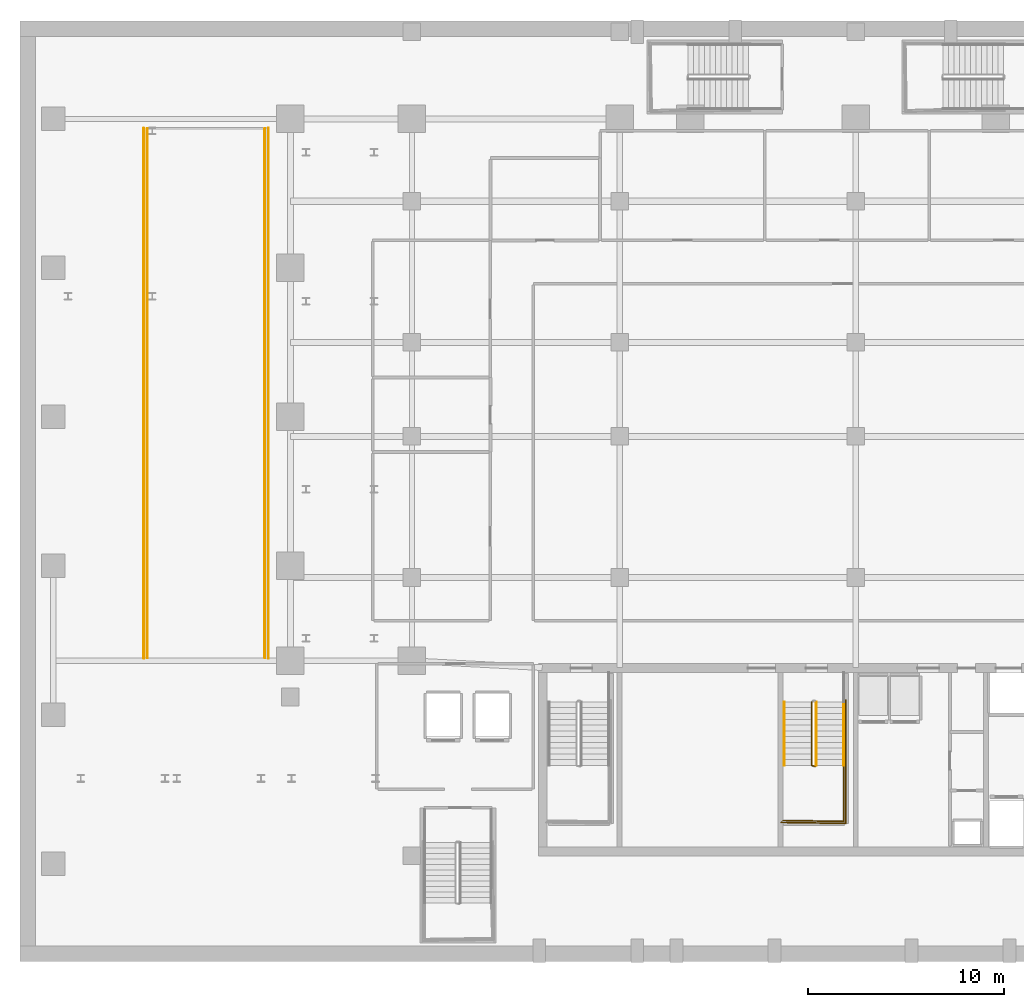
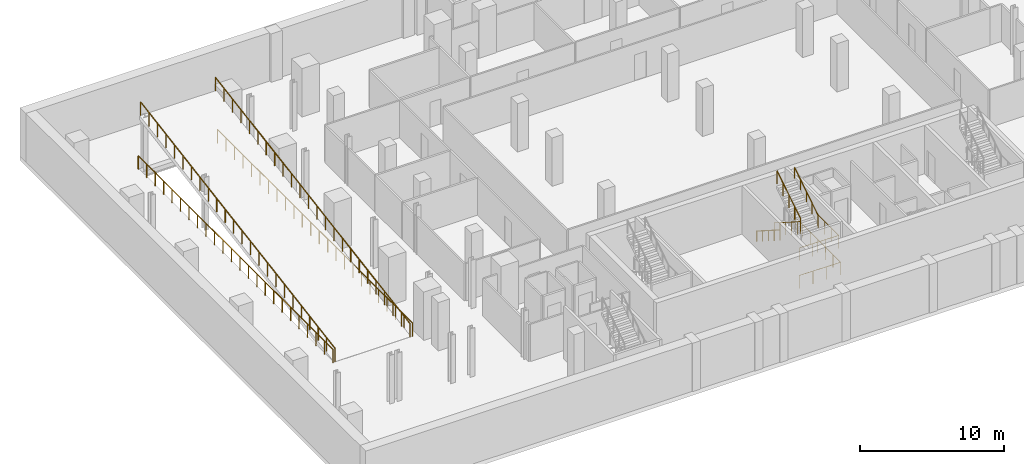
# One storey, part 14 of 18: 10 railings.
"""IFC4 building model written with IfcOpenShell, lengths in metres."""

from ifc_helpers import new_model, si_unit, direction, frame, origin, origin_2d, place, context, subcontext, project, spatial, circle, extrude, material, layer, layer_set, type_object, element, save


model = new_model("IFC4")

# Units and contexts
model_context = context("Model", 3, precision=1e-05, world=origin(), true_north=direction((0.0, 1.0)))
body_context = subcontext(model_context, "Body", "Model", "MODEL_VIEW")
ifc_project = project(units=[si_unit("LENGTHUNIT", "METRE"), si_unit("AREAUNIT", "SQUARE_METRE"), si_unit("VOLUMEUNIT", "CUBIC_METRE"), si_unit("PLANEANGLEUNIT", "RADIAN"), si_unit("MASSUNIT", "GRAM", prefix="KILO")], contexts=[model_context])

# Site, building, storey
site_placement = place(None, origin())
site = spatial("IfcSite", under=ifc_project, at=site_placement, CompositionType="ELEMENT")
building_placement = place(site_placement, origin())
building = spatial("IfcBuilding", under=site, at=building_placement, Name="Ndaravel Arena Tower", CompositionType="ELEMENT")
storey_placement = place(building_placement, frame((0.0, 0.0, -4.5)))
storey = spatial("IfcBuildingStorey", under=building, at=storey_placement, Name="B01", CompositionType="ELEMENT", Elevation=-4.5)

# Railings
ifc_material_1 = material(Name="Steel S355", Category="steel")
ifc_layer_1 = layer(ifc_material_1, 0.06005859375)
ifc_layer_set_1 = layer_set([ifc_layer_1], Name="Steel S355")
railing_type_1 = type_object("IfcRailingType", Name="RAIL-STAIR-GD1100", PredefinedType="GUARDRAIL", material=ifc_layer_set_1)
railing_1_placement = place(storey_placement, frame((40.39990234375, 13.25, 0.1875)))
element("IfcRailing", 1, at=railing_1_placement, inside=storey, type_object=railing_type_1, Name="B01 ST-2 stair guard 1", PredefinedType="GUARDRAIL", context=body_context, shape_type="SweptSolid", body=[
    extrude(circle(Radius=0.02392578125, at=origin_2d()), frame((0.0, 0.0, 1.076171875), z_axis=(0.0, -0.843964631203, 0.536398826693), x_axis=(1.0, 0.0, 0.0)), (0.0, 0.0, 1.0), 3.844970703125),
    extrude(circle(Radius=0.02392578125, at=origin_2d()), frame((0.0, -3.2451171875, 3.138671875), z_axis=(0.967379469692, -0.253331722487, 0.0), x_axis=(0.253331722487, 0.967379469692, 0.0)), (0.0, 0.0, 1.0), 0.196533203125),
    extrude(circle(Radius=0.02099609375, at=origin_2d()), origin(), (0.0, 0.0, 1.0), 1.052001953125),
    extrude(circle(Radius=0.02099609375, at=origin_2d()), frame((0.0, -0.811279296875, 0.515625)), (0.0, 0.0, 1.0), 1.052001953125),
    extrude(circle(Radius=0.02099609375, at=origin_2d()), frame((0.0, -1.62255859375, 1.03125)), (0.0, 0.0, 1.0), 1.052001953125),
    extrude(circle(Radius=0.02099609375, at=origin_2d()), frame((0.0, -2.433837890625, 1.546875)), (0.0, 0.0, 1.0), 1.052001953125),
    extrude(circle(Radius=0.02099609375, at=origin_2d()), frame((0.0, -3.2451171875, 2.0625)), (0.0, 0.0, 1.0), 1.052001953125),
    extrude(circle(Radius=0.02099609375, at=origin_2d()), frame((0.190185546875, -3.294921875, 2.0625)), (0.0, 0.0, 1.0), 1.052001953125),
])
railing_2_placement = place(storey_placement, frame((42.0400390625, 10.0048828125, 2.25)))
element("IfcRailing", 2, at=railing_2_placement, inside=storey, type_object=railing_type_1, Name="B01 ST-2 stair guard 2", PredefinedType="GUARDRAIL", context=body_context, shape_type="SweptSolid", body=[
    extrude(circle(Radius=0.02392578125, at=origin_2d()), frame((0.0, 0.0, 1.076171875), z_axis=(0.0, -1.0, 0.0), x_axis=(1.0, 0.0, 0.0)), (0.0, 0.0, 1.0), 2.85498046875),
    extrude(circle(Radius=0.02392578125, at=origin_2d()), frame((0.0, -2.85498046875, 1.076171875), z_axis=(-0.999868861343, 0.016194447071, 0.0), x_axis=(-0.016194447071, -0.999868861343, 0.0)), (0.0, 0.0, 1.0), 3.090576171875),
    extrude(circle(Radius=0.02099609375, at=origin_2d()), origin(), (0.0, 0.0, 1.0), 1.052001953125),
    extrude(circle(Radius=0.02099609375, at=origin_2d()), frame((0.0, -0.95166015625, 0.0)), (0.0, 0.0, 1.0), 1.052001953125),
    extrude(circle(Radius=0.02099609375, at=origin_2d()), frame((0.0, -1.9033203125, 0.0)), (0.0, 0.0, 1.0), 1.052001953125),
    extrude(circle(Radius=0.02099609375, at=origin_2d()), frame((0.0, -2.85498046875, 0.0)), (0.0, 0.0, 1.0), 1.052001953125),
    extrude(circle(Radius=0.02099609375, at=origin_2d()), frame((-1.030029296875, -2.83837890625, 0.0)), (0.0, 0.0, 1.0), 1.052001953125),
    extrude(circle(Radius=0.02099609375, at=origin_2d()), frame((-2.06005859375, -2.821533203125, 0.0)), (0.0, 0.0, 1.0), 1.052001953125),
    extrude(circle(Radius=0.02099609375, at=origin_2d()), frame((-3.090087890625, -2.804931640625, 0.0)), (0.0, 0.0, 1.0), 1.052001953125),
])
railing_3_placement = place(storey_placement, frame((40.639892578125, 10.0048828125, 2.4375)))
element("IfcRailing", 3, at=railing_3_placement, inside=storey, type_object=railing_type_1, Name="B01 ST-2 stair guard 3", PredefinedType="GUARDRAIL", context=body_context, shape_type="SweptSolid", body=[
    extrude(circle(Radius=0.02392578125, at=origin_2d()), frame((0.0, 0.0, 1.076171875), z_axis=(0.0, 0.843964631203, 0.536398826693), x_axis=(-1.0, 0.0, 0.0)), (0.0, 0.0, 1.0), 3.844970703125),
    extrude(circle(Radius=0.02099609375, at=origin_2d()), origin(), (0.0, 0.0, 1.0), 1.052001953125),
    extrude(circle(Radius=0.02099609375, at=origin_2d()), frame((0.0, 0.811279296875, 0.515625)), (0.0, 0.0, 1.0), 1.052001953125),
    extrude(circle(Radius=0.02099609375, at=origin_2d()), frame((0.0, 1.62255859375, 1.03125)), (0.0, 0.0, 1.0), 1.052001953125),
    extrude(circle(Radius=0.02099609375, at=origin_2d()), frame((0.0, 2.433837890625, 1.546875)), (0.0, 0.0, 1.0), 1.052001953125),
    extrude(circle(Radius=0.02099609375, at=origin_2d()), frame((0.0, 3.2451171875, 2.0625)), (0.0, 0.0, 1.0), 1.052001953125),
])
railing_4_placement = place(storey_placement, frame((42.139892578125, 13.35009765625, 0.0)))
element("IfcRailing", 4, at=railing_4_placement, inside=storey, type_object=railing_type_1, Name="B01 ST-2 stair guard 6", PredefinedType="GUARDRAIL", context=body_context, shape_type="SweptSolid", body=[
    extrude(circle(Radius=0.02392578125, at=origin_2d()), frame((0.0, 0.0, 1.076171875), z_axis=(0.0, -1.0, 0.0), x_axis=(1.0, 0.0, 0.0)), (0.0, 0.0, 1.0), 6.300048828125),
    extrude(circle(Radius=0.02392578125, at=origin_2d()), frame((0.0, -6.300048828125, 1.076171875), z_axis=(-0.999884296952, 0.015211597839, 0.0), x_axis=(-0.015211597839, -0.999884296952, 0.0)), (0.0, 0.0, 1.0), 3.290283203125),
    extrude(circle(Radius=0.02099609375, at=origin_2d()), origin(), (0.0, 0.0, 1.0), 1.052001953125),
    extrude(circle(Radius=0.02099609375, at=origin_2d()), frame((0.0, -1.050048828125, 0.0)), (0.0, 0.0, 1.0), 1.052001953125),
    extrude(circle(Radius=0.02099609375, at=origin_2d()), frame((0.0, -2.10009765625, 0.0)), (0.0, 0.0, 1.0), 1.052001953125),
    extrude(circle(Radius=0.02099609375, at=origin_2d()), frame((0.0, -3.14990234375, 0.0)), (0.0, 0.0, 1.0), 1.052001953125),
    extrude(circle(Radius=0.02099609375, at=origin_2d()), frame((0.0, -4.199951171875, 0.0)), (0.0, 0.0, 1.0), 1.052001953125),
    extrude(circle(Radius=0.02099609375, at=origin_2d()), frame((0.0, -5.25, 0.0)), (0.0, 0.0, 1.0), 1.052001953125),
    extrude(circle(Radius=0.02099609375, at=origin_2d()), frame((0.0, -6.300048828125, 0.0)), (0.0, 0.0, 1.0), 1.052001953125),
    extrude(circle(Radius=0.02099609375, at=origin_2d()), frame((-1.0966796875, -6.283447265625, 0.0)), (0.0, 0.0, 1.0), 1.052001953125),
    extrude(circle(Radius=0.02099609375, at=origin_2d()), frame((-2.193115234375, -6.2666015625, 0.0)), (0.0, 0.0, 1.0), 1.052001953125),
    extrude(circle(Radius=0.02099609375, at=origin_2d()), frame((-3.289794921875, -6.25, 0.0)), (0.0, 0.0, 1.0), 1.052001953125),
])
ifc_material_2 = material(Name="Steel S355", Category="steel")
ifc_layer_2 = layer(ifc_material_2, 0.050048828125)
ifc_layer_set_2 = layer_set([ifc_layer_2], Name="Steel S355")
railing_type_2 = type_object("IfcRailingType", Name="RAIL-STAIR-HR920", PredefinedType="HANDRAIL", material=ifc_layer_set_2)
railing_5_placement = place(storey_placement, frame((39.0, 13.25, 0.1875)))
element("IfcRailing", 5, at=railing_5_placement, inside=storey, type_object=railing_type_2, Name="B01 ST-2 stair handrail 1", PredefinedType="HANDRAIL", context=body_context, shape_type="SweptSolid", body=[
    extrude(circle(Radius=0.02392578125, at=origin_2d()), frame((0.0, 0.0, 0.8759765625), z_axis=(0.0, -0.843964631203, 0.536398826693), x_axis=(1.0, 0.0, 0.0)), (0.0, 0.0, 1.0), 3.844970703125),
    extrude(circle(Radius=0.02099609375, at=origin_2d()), origin(), (0.0, 0.0, 1.0), 0.851806640625),
    extrude(circle(Radius=0.02099609375, at=origin_2d()), frame((0.0, -0.811279296875, 0.515625)), (0.0, 0.0, 1.0), 0.851806640625),
    extrude(circle(Radius=0.02099609375, at=origin_2d()), frame((0.0, -1.62255859375, 1.03125)), (0.0, 0.0, 1.0), 0.851806640625),
    extrude(circle(Radius=0.02099609375, at=origin_2d()), frame((0.0, -2.433837890625, 1.546875)), (0.0, 0.0, 1.0), 0.851806640625),
    extrude(circle(Radius=0.02099609375, at=origin_2d()), frame((0.0, -3.2451171875, 2.0625)), (0.0, 0.0, 1.0), 0.851806640625),
])
railing_6_placement = place(storey_placement, frame((42.0400390625, 10.0048828125, 2.4375)))
element("IfcRailing", 6, at=railing_6_placement, inside=storey, type_object=railing_type_2, Name="B01 ST-2 stair handrail 2", PredefinedType="HANDRAIL", context=body_context, shape_type="SweptSolid", body=[
    extrude(circle(Radius=0.02392578125, at=origin_2d()), frame((0.0, 0.0, 0.8759765625), z_axis=(0.0, 0.843964631203, 0.536398826693), x_axis=(-1.0, 0.0, 0.0)), (0.0, 0.0, 1.0), 3.844970703125),
    extrude(circle(Radius=0.02099609375, at=origin_2d()), origin(), (0.0, 0.0, 1.0), 0.851806640625),
    extrude(circle(Radius=0.02099609375, at=origin_2d()), frame((0.0, 0.811279296875, 0.515625)), (0.0, 0.0, 1.0), 0.851806640625),
    extrude(circle(Radius=0.02099609375, at=origin_2d()), frame((0.0, 1.62255859375, 1.03125)), (0.0, 0.0, 1.0), 0.851806640625),
    extrude(circle(Radius=0.02099609375, at=origin_2d()), frame((0.0, 2.433837890625, 1.546875)), (0.0, 0.0, 1.0), 0.851806640625),
    extrude(circle(Radius=0.02099609375, at=origin_2d()), frame((0.0, 3.2451171875, 2.0625)), (0.0, 0.0, 1.0), 0.851806640625),
])
ifc_material_3 = material(Name="Glazing", Category="glass")
ifc_layer_3 = layer(ifc_material_3, 0.070068359375)
ifc_layer_set_3 = layer_set([ifc_layer_3], Name="Glazing")
railing_type_3 = type_object("IfcRailingType", Name="RAIL-TERRACE-1150", PredefinedType="BALUSTRADE", material=ifc_layer_set_3)
railing_7_placement = place(storey_placement, frame((6.320068359375, 15.47998046875, 0.0)))
element("IfcRailing", 7, at=railing_7_placement, inside=storey, type_object=railing_type_3, Name="B01 Vehicle Ramp Well West Side Guard", PredefinedType="BALUSTRADE", context=body_context, shape_type="SweptSolid", body=[
    extrude(circle(Radius=0.02392578125, at=origin_2d()), frame((0.0, 0.0, 1.1259765625), z_axis=(0.0, 1.0, 0.0), x_axis=(-1.0, 0.0, 0.0)), (0.0, 0.0, 1.0), 27.0400390625),
    extrude(circle(Radius=0.02099609375, at=origin_2d()), origin(), (0.0, 0.0, 1.0), 1.101806640625),
    extrude(circle(Radius=0.02099609375, at=origin_2d()), frame((0.0, 1.175537109375, 0.0)), (0.0, 0.0, 1.0), 1.101806640625),
    extrude(circle(Radius=0.02099609375, at=origin_2d()), frame((0.0, 2.351318359375, 0.0)), (0.0, 0.0, 1.0), 1.101806640625),
    extrude(circle(Radius=0.02099609375, at=origin_2d()), frame((0.0, 3.52685546875, 0.0)), (0.0, 0.0, 1.0), 1.101806640625),
    extrude(circle(Radius=0.02099609375, at=origin_2d()), frame((0.0, 4.70263671875, 0.0)), (0.0, 0.0, 1.0), 1.101806640625),
    extrude(circle(Radius=0.02099609375, at=origin_2d()), frame((0.0, 5.878173828125, 0.0)), (0.0, 0.0, 1.0), 1.101806640625),
    extrude(circle(Radius=0.02099609375, at=origin_2d()), frame((0.0, 7.053955078125, 0.0)), (0.0, 0.0, 1.0), 1.101806640625),
    extrude(circle(Radius=0.02099609375, at=origin_2d()), frame((0.0, 8.2294921875, 0.0)), (0.0, 0.0, 1.0), 1.101806640625),
    extrude(circle(Radius=0.02099609375, at=origin_2d()), frame((0.0, 9.4052734375, 0.0)), (0.0, 0.0, 1.0), 1.101806640625),
    extrude(circle(Radius=0.02099609375, at=origin_2d()), frame((0.0, 10.580810546875, 0.0)), (0.0, 0.0, 1.0), 1.101806640625),
    extrude(circle(Radius=0.02099609375, at=origin_2d()), frame((0.0, 11.756591796875, 0.0)), (0.0, 0.0, 1.0), 1.101806640625),
    extrude(circle(Radius=0.02099609375, at=origin_2d()), frame((0.0, 12.93212890625, 0.0)), (0.0, 0.0, 1.0), 1.101806640625),
    extrude(circle(Radius=0.02099609375, at=origin_2d()), frame((0.0, 14.10791015625, 0.0)), (0.0, 0.0, 1.0), 1.101806640625),
    extrude(circle(Radius=0.02099609375, at=origin_2d()), frame((0.0, 15.283447265625, 0.0)), (0.0, 0.0, 1.0), 1.101806640625),
    extrude(circle(Radius=0.02099609375, at=origin_2d()), frame((0.0, 16.459228515625, 0.0)), (0.0, 0.0, 1.0), 1.101806640625),
    extrude(circle(Radius=0.02099609375, at=origin_2d()), frame((0.0, 17.634765625, 0.0)), (0.0, 0.0, 1.0), 1.101806640625),
    extrude(circle(Radius=0.02099609375, at=origin_2d()), frame((0.0, 18.810546875, 0.0)), (0.0, 0.0, 1.0), 1.101806640625),
    extrude(circle(Radius=0.02099609375, at=origin_2d()), frame((0.0, 19.986083984375, 0.0)), (0.0, 0.0, 1.0), 1.101806640625),
    extrude(circle(Radius=0.02099609375, at=origin_2d()), frame((0.0, 21.161865234375, 0.0)), (0.0, 0.0, 1.0), 1.101806640625),
    extrude(circle(Radius=0.02099609375, at=origin_2d()), frame((0.0, 22.33740234375, 0.0)), (0.0, 0.0, 1.0), 1.101806640625),
    extrude(circle(Radius=0.02099609375, at=origin_2d()), frame((0.0, 23.51318359375, 0.0)), (0.0, 0.0, 1.0), 1.101806640625),
    extrude(circle(Radius=0.02099609375, at=origin_2d()), frame((0.0, 24.688720703125, 0.0)), (0.0, 0.0, 1.0), 1.101806640625),
    extrude(circle(Radius=0.02099609375, at=origin_2d()), frame((0.0, 25.864501953125, 0.0)), (0.0, 0.0, 1.0), 1.101806640625),
    extrude(circle(Radius=0.02099609375, at=origin_2d()), frame((0.0, 27.0400390625, 0.0)), (0.0, 0.0, 1.0), 1.101806640625),
])
railing_8_placement = place(storey_placement, frame((12.679931640625, 15.47998046875, 0.0)))
element("IfcRailing", 8, at=railing_8_placement, inside=storey, type_object=railing_type_3, Name="B01 Vehicle Ramp Well East Side Guard", PredefinedType="BALUSTRADE", context=body_context, shape_type="SweptSolid", body=[
    extrude(circle(Radius=0.02392578125, at=origin_2d()), frame((0.0, 0.0, 1.1259765625), z_axis=(0.0, 1.0, 0.0), x_axis=(-1.0, 0.0, 0.0)), (0.0, 0.0, 1.0), 27.0400390625),
    extrude(circle(Radius=0.02099609375, at=origin_2d()), origin(), (0.0, 0.0, 1.0), 1.101806640625),
    extrude(circle(Radius=0.02099609375, at=origin_2d()), frame((0.0, 1.175537109375, 0.0)), (0.0, 0.0, 1.0), 1.101806640625),
    extrude(circle(Radius=0.02099609375, at=origin_2d()), frame((0.0, 2.351318359375, 0.0)), (0.0, 0.0, 1.0), 1.101806640625),
    extrude(circle(Radius=0.02099609375, at=origin_2d()), frame((0.0, 3.52685546875, 0.0)), (0.0, 0.0, 1.0), 1.101806640625),
    extrude(circle(Radius=0.02099609375, at=origin_2d()), frame((0.0, 4.70263671875, 0.0)), (0.0, 0.0, 1.0), 1.101806640625),
    extrude(circle(Radius=0.02099609375, at=origin_2d()), frame((0.0, 5.878173828125, 0.0)), (0.0, 0.0, 1.0), 1.101806640625),
    extrude(circle(Radius=0.02099609375, at=origin_2d()), frame((0.0, 7.053955078125, 0.0)), (0.0, 0.0, 1.0), 1.101806640625),
    extrude(circle(Radius=0.02099609375, at=origin_2d()), frame((0.0, 8.2294921875, 0.0)), (0.0, 0.0, 1.0), 1.101806640625),
    extrude(circle(Radius=0.02099609375, at=origin_2d()), frame((0.0, 9.4052734375, 0.0)), (0.0, 0.0, 1.0), 1.101806640625),
    extrude(circle(Radius=0.02099609375, at=origin_2d()), frame((0.0, 10.580810546875, 0.0)), (0.0, 0.0, 1.0), 1.101806640625),
    extrude(circle(Radius=0.02099609375, at=origin_2d()), frame((0.0, 11.756591796875, 0.0)), (0.0, 0.0, 1.0), 1.101806640625),
    extrude(circle(Radius=0.02099609375, at=origin_2d()), frame((0.0, 12.93212890625, 0.0)), (0.0, 0.0, 1.0), 1.101806640625),
    extrude(circle(Radius=0.02099609375, at=origin_2d()), frame((0.0, 14.10791015625, 0.0)), (0.0, 0.0, 1.0), 1.101806640625),
    extrude(circle(Radius=0.02099609375, at=origin_2d()), frame((0.0, 15.283447265625, 0.0)), (0.0, 0.0, 1.0), 1.101806640625),
    extrude(circle(Radius=0.02099609375, at=origin_2d()), frame((0.0, 16.459228515625, 0.0)), (0.0, 0.0, 1.0), 1.101806640625),
    extrude(circle(Radius=0.02099609375, at=origin_2d()), frame((0.0, 17.634765625, 0.0)), (0.0, 0.0, 1.0), 1.101806640625),
    extrude(circle(Radius=0.02099609375, at=origin_2d()), frame((0.0, 18.810546875, 0.0)), (0.0, 0.0, 1.0), 1.101806640625),
    extrude(circle(Radius=0.02099609375, at=origin_2d()), frame((0.0, 19.986083984375, 0.0)), (0.0, 0.0, 1.0), 1.101806640625),
    extrude(circle(Radius=0.02099609375, at=origin_2d()), frame((0.0, 21.161865234375, 0.0)), (0.0, 0.0, 1.0), 1.101806640625),
    extrude(circle(Radius=0.02099609375, at=origin_2d()), frame((0.0, 22.33740234375, 0.0)), (0.0, 0.0, 1.0), 1.101806640625),
    extrude(circle(Radius=0.02099609375, at=origin_2d()), frame((0.0, 23.51318359375, 0.0)), (0.0, 0.0, 1.0), 1.101806640625),
    extrude(circle(Radius=0.02099609375, at=origin_2d()), frame((0.0, 24.688720703125, 0.0)), (0.0, 0.0, 1.0), 1.101806640625),
    extrude(circle(Radius=0.02099609375, at=origin_2d()), frame((0.0, 25.864501953125, 0.0)), (0.0, 0.0, 1.0), 1.101806640625),
    extrude(circle(Radius=0.02099609375, at=origin_2d()), frame((0.0, 27.0400390625, 0.0)), (0.0, 0.0, 1.0), 1.101806640625),
])
railing_9_placement = place(storey_placement, frame((6.5, 15.5, 0.0)))
element("IfcRailing", 9, at=railing_9_placement, inside=storey, type_object=railing_type_3, Name="B01 Vehicle Ramp R1 Upper West Guard", PredefinedType="BALUSTRADE", context=body_context, shape_type="SweptSolid", body=[
    extrude(circle(Radius=0.02392578125, at=origin_2d()), frame((0.0, 0.0, 1.1259765625), z_axis=(0.0, 0.986393923832, 0.164398987305), x_axis=(-1.0, 0.0, 0.0)), (0.0, 0.0, 1.0), 27.372314453125),
    extrude(circle(Radius=0.02099609375, at=origin_2d()), origin(), (0.0, 0.0, 1.0), 1.101806640625),
    extrude(circle(Radius=0.02099609375, at=origin_2d()), frame((0.0, 1.173828125, 0.195556640625)), (0.0, 0.0, 1.0), 1.101806640625),
    extrude(circle(Radius=0.02099609375, at=origin_2d()), frame((0.0, 2.347900390625, 0.391357421875)), (0.0, 0.0, 1.0), 1.101806640625),
    extrude(circle(Radius=0.02099609375, at=origin_2d()), frame((0.0, 3.521728515625, 0.5869140625)), (0.0, 0.0, 1.0), 1.101806640625),
    extrude(circle(Radius=0.02099609375, at=origin_2d()), frame((0.0, 4.695556640625, 0.78271484375)), (0.0, 0.0, 1.0), 1.101806640625),
    extrude(circle(Radius=0.02099609375, at=origin_2d()), frame((0.0, 5.86962890625, 0.978271484375)), (0.0, 0.0, 1.0), 1.101806640625),
    extrude(circle(Radius=0.02099609375, at=origin_2d()), frame((0.0, 7.04345703125, 1.173828125)), (0.0, 0.0, 1.0), 1.101806640625),
    extrude(circle(Radius=0.02099609375, at=origin_2d()), frame((0.0, 8.21728515625, 1.36962890625)), (0.0, 0.0, 1.0), 1.101806640625),
    extrude(circle(Radius=0.02099609375, at=origin_2d()), frame((0.0, 9.391357421875, 1.565185546875)), (0.0, 0.0, 1.0), 1.101806640625),
    extrude(circle(Radius=0.02099609375, at=origin_2d()), frame((0.0, 10.565185546875, 1.760986328125)), (0.0, 0.0, 1.0), 1.101806640625),
    extrude(circle(Radius=0.02099609375, at=origin_2d()), frame((0.0, 11.739013671875, 1.95654296875)), (0.0, 0.0, 1.0), 1.101806640625),
    extrude(circle(Radius=0.02099609375, at=origin_2d()), frame((0.0, 12.9130859375, 2.152099609375)), (0.0, 0.0, 1.0), 1.101806640625),
    extrude(circle(Radius=0.02099609375, at=origin_2d()), frame((0.0, 14.0869140625, 2.347900390625)), (0.0, 0.0, 1.0), 1.101806640625),
    extrude(circle(Radius=0.02099609375, at=origin_2d()), frame((0.0, 15.260986328125, 2.54345703125)), (0.0, 0.0, 1.0), 1.101806640625),
    extrude(circle(Radius=0.02099609375, at=origin_2d()), frame((0.0, 16.434814453125, 2.739013671875)), (0.0, 0.0, 1.0), 1.101806640625),
    extrude(circle(Radius=0.02099609375, at=origin_2d()), frame((0.0, 17.608642578125, 2.934814453125)), (0.0, 0.0, 1.0), 1.101806640625),
    extrude(circle(Radius=0.02099609375, at=origin_2d()), frame((0.0, 18.78271484375, 3.13037109375)), (0.0, 0.0, 1.0), 1.101806640625),
    extrude(circle(Radius=0.02099609375, at=origin_2d()), frame((0.0, 19.95654296875, 3.326171875)), (0.0, 0.0, 1.0), 1.101806640625),
    extrude(circle(Radius=0.02099609375, at=origin_2d()), frame((0.0, 21.13037109375, 3.521728515625)), (0.0, 0.0, 1.0), 1.101806640625),
    extrude(circle(Radius=0.02099609375, at=origin_2d()), frame((0.0, 22.304443359375, 3.71728515625)), (0.0, 0.0, 1.0), 1.101806640625),
    extrude(circle(Radius=0.02099609375, at=origin_2d()), frame((0.0, 23.478271484375, 3.9130859375)), (0.0, 0.0, 1.0), 1.101806640625),
    extrude(circle(Radius=0.02099609375, at=origin_2d()), frame((0.0, 24.652099609375, 4.108642578125)), (0.0, 0.0, 1.0), 1.101806640625),
    extrude(circle(Radius=0.02099609375, at=origin_2d()), frame((0.0, 25.826171875, 4.304443359375)), (0.0, 0.0, 1.0), 1.101806640625),
    extrude(circle(Radius=0.02099609375, at=origin_2d()), frame((0.0, 27.0, 4.5)), (0.0, 0.0, 1.0), 1.101806640625),
])
railing_10_placement = place(storey_placement, frame((12.5, 15.5, 0.0)))
element("IfcRailing", 10, at=railing_10_placement, inside=storey, type_object=railing_type_3, Name="B01 Vehicle Ramp R1 Upper East Guard", PredefinedType="BALUSTRADE", context=body_context, shape_type="SweptSolid", body=[
    extrude(circle(Radius=0.02392578125, at=origin_2d()), frame((0.0, 0.0, 1.1259765625), z_axis=(0.0, 0.986393923832, 0.164398987305), x_axis=(-1.0, 0.0, 0.0)), (0.0, 0.0, 1.0), 27.372314453125),
    extrude(circle(Radius=0.02099609375, at=origin_2d()), origin(), (0.0, 0.0, 1.0), 1.101806640625),
    extrude(circle(Radius=0.02099609375, at=origin_2d()), frame((0.0, 1.173828125, 0.195556640625)), (0.0, 0.0, 1.0), 1.101806640625),
    extrude(circle(Radius=0.02099609375, at=origin_2d()), frame((0.0, 2.347900390625, 0.391357421875)), (0.0, 0.0, 1.0), 1.101806640625),
    extrude(circle(Radius=0.02099609375, at=origin_2d()), frame((0.0, 3.521728515625, 0.5869140625)), (0.0, 0.0, 1.0), 1.101806640625),
    extrude(circle(Radius=0.02099609375, at=origin_2d()), frame((0.0, 4.695556640625, 0.78271484375)), (0.0, 0.0, 1.0), 1.101806640625),
    extrude(circle(Radius=0.02099609375, at=origin_2d()), frame((0.0, 5.86962890625, 0.978271484375)), (0.0, 0.0, 1.0), 1.101806640625),
    extrude(circle(Radius=0.02099609375, at=origin_2d()), frame((0.0, 7.04345703125, 1.173828125)), (0.0, 0.0, 1.0), 1.101806640625),
    extrude(circle(Radius=0.02099609375, at=origin_2d()), frame((0.0, 8.21728515625, 1.36962890625)), (0.0, 0.0, 1.0), 1.101806640625),
    extrude(circle(Radius=0.02099609375, at=origin_2d()), frame((0.0, 9.391357421875, 1.565185546875)), (0.0, 0.0, 1.0), 1.101806640625),
    extrude(circle(Radius=0.02099609375, at=origin_2d()), frame((0.0, 10.565185546875, 1.760986328125)), (0.0, 0.0, 1.0), 1.101806640625),
    extrude(circle(Radius=0.02099609375, at=origin_2d()), frame((0.0, 11.739013671875, 1.95654296875)), (0.0, 0.0, 1.0), 1.101806640625),
    extrude(circle(Radius=0.02099609375, at=origin_2d()), frame((0.0, 12.9130859375, 2.152099609375)), (0.0, 0.0, 1.0), 1.101806640625),
    extrude(circle(Radius=0.02099609375, at=origin_2d()), frame((0.0, 14.0869140625, 2.347900390625)), (0.0, 0.0, 1.0), 1.101806640625),
    extrude(circle(Radius=0.02099609375, at=origin_2d()), frame((0.0, 15.260986328125, 2.54345703125)), (0.0, 0.0, 1.0), 1.101806640625),
    extrude(circle(Radius=0.02099609375, at=origin_2d()), frame((0.0, 16.434814453125, 2.739013671875)), (0.0, 0.0, 1.0), 1.101806640625),
    extrude(circle(Radius=0.02099609375, at=origin_2d()), frame((0.0, 17.608642578125, 2.934814453125)), (0.0, 0.0, 1.0), 1.101806640625),
    extrude(circle(Radius=0.02099609375, at=origin_2d()), frame((0.0, 18.78271484375, 3.13037109375)), (0.0, 0.0, 1.0), 1.101806640625),
    extrude(circle(Radius=0.02099609375, at=origin_2d()), frame((0.0, 19.95654296875, 3.326171875)), (0.0, 0.0, 1.0), 1.101806640625),
    extrude(circle(Radius=0.02099609375, at=origin_2d()), frame((0.0, 21.13037109375, 3.521728515625)), (0.0, 0.0, 1.0), 1.101806640625),
    extrude(circle(Radius=0.02099609375, at=origin_2d()), frame((0.0, 22.304443359375, 3.71728515625)), (0.0, 0.0, 1.0), 1.101806640625),
    extrude(circle(Radius=0.02099609375, at=origin_2d()), frame((0.0, 23.478271484375, 3.9130859375)), (0.0, 0.0, 1.0), 1.101806640625),
    extrude(circle(Radius=0.02099609375, at=origin_2d()), frame((0.0, 24.652099609375, 4.108642578125)), (0.0, 0.0, 1.0), 1.101806640625),
    extrude(circle(Radius=0.02099609375, at=origin_2d()), frame((0.0, 25.826171875, 4.304443359375)), (0.0, 0.0, 1.0), 1.101806640625),
    extrude(circle(Radius=0.02099609375, at=origin_2d()), frame((0.0, 27.0, 4.5)), (0.0, 0.0, 1.0), 1.101806640625),
])

save(model, "model.ifc")
